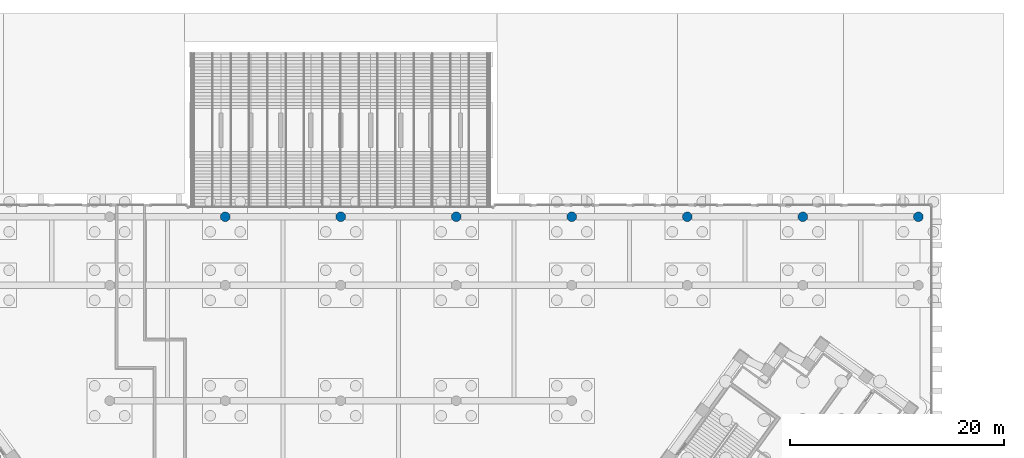
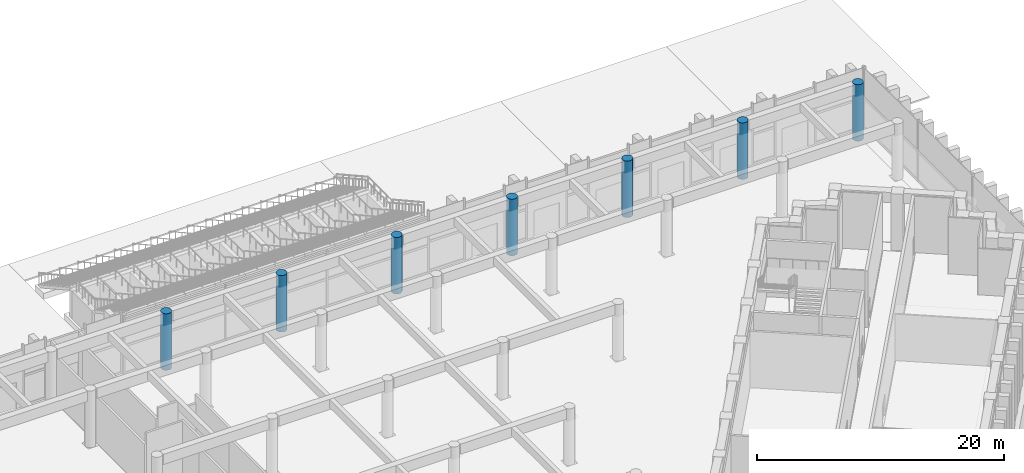
# One storey, part 3 of 32: 7 columns.
"""IFC4 building model written with IfcOpenShell, lengths in metres."""

from ifc_helpers import new_model, si_unit, direction, frame, origin, origin_2d, place, context, subcontext, project, spatial, circle, extrude, material, material_profile, profile_set, type_object, element, save


model = new_model("IFC4")

# Units and contexts
model_context = context("Model", 3, precision=1e-05, world=origin(), true_north=direction((0.0, 1.0)))
body_context = subcontext(model_context, "Body", "Model", "MODEL_VIEW")
ifc_project = project(units=[si_unit("LENGTHUNIT", "METRE"), si_unit("AREAUNIT", "SQUARE_METRE"), si_unit("VOLUMEUNIT", "CUBIC_METRE"), si_unit("PLANEANGLEUNIT", "RADIAN"), si_unit("MASSUNIT", "GRAM", prefix="KILO")], contexts=[model_context])

# Site, building, storey
site_placement = place(None, origin())
site = spatial("IfcSite", under=ifc_project, at=site_placement, CompositionType="ELEMENT")
building_placement = place(site_placement, origin())
building = spatial("IfcBuilding", under=site, at=building_placement, Name="Quipu Civic Tower", CompositionType="ELEMENT")
storey_placement = place(building_placement, origin())
storey = spatial("IfcBuildingStorey", under=building, at=storey_placement, Name="L00", CompositionType="ELEMENT", Elevation=0.0)

# Columns
ifc_material = material(Name="Concrete C50/60", Category="concrete")
ifc_material_profile = material_profile(ifc_material, circle(Radius=0.449951171875, at=origin_2d()), Name="RCD900")
ifc_profile_set = profile_set([ifc_material_profile], Name="Concrete C50/60")
column_type = type_object("IfcColumnType", Name="Hall column RC D900 C50/60", PredefinedType="COLUMN", material=ifc_profile_set)
for number, where, z_axis, x_axis, name in (
    (1, (-10.800048828125, 55.0, 0.0), (0.0, 0.0, 1.0), (1.0, 0.0, 0.0), "Hall column L00 27"),
    (2, (0.0, 55.0, 0.0), (0.0, 0.0, 1.0), (1.0, 0.0, 0.0), "Hall column L00 28"),
    (3, (10.800048828125, 55.0, 0.0), (0.0, 0.0, 1.0), (1.0, 0.0, 0.0), "Hall column L00 29"),
    (4, (21.60009765625, 55.0, 0.0), (0.0, 0.0, 1.0), (1.0, 0.0, 0.0), "Hall column L00 30"),
    (5, (32.39990234375, 55.0, 0.0), (0.0, 0.0, 1.0), (1.0, 0.0, 0.0), "Hall column L00 31"),
    (6, (43.199951171875, 55.0, 0.0), (0.0, 0.0, 1.0), (1.0, 0.0, 0.0), "Hall column L00 32"),
    (7, (54.0, 55.0, 0.0), (0.0, 0.0, 1.0), (1.0, 0.0, 0.0), "Hall column L00 33"),
):
    element("IfcColumn", number, at=place(storey_placement, frame(where, z_axis=z_axis, x_axis=x_axis)), inside=storey, type_object=column_type, Name=name, PredefinedType="COLUMN", context=body_context, shape_type="SweptSolid", body=[
        extrude(circle(Radius=0.449951171875, at=origin_2d()), origin(), (0.0, 0.0, 1.0), 5.60009765625),
    ])

save(model, "model.ifc")
